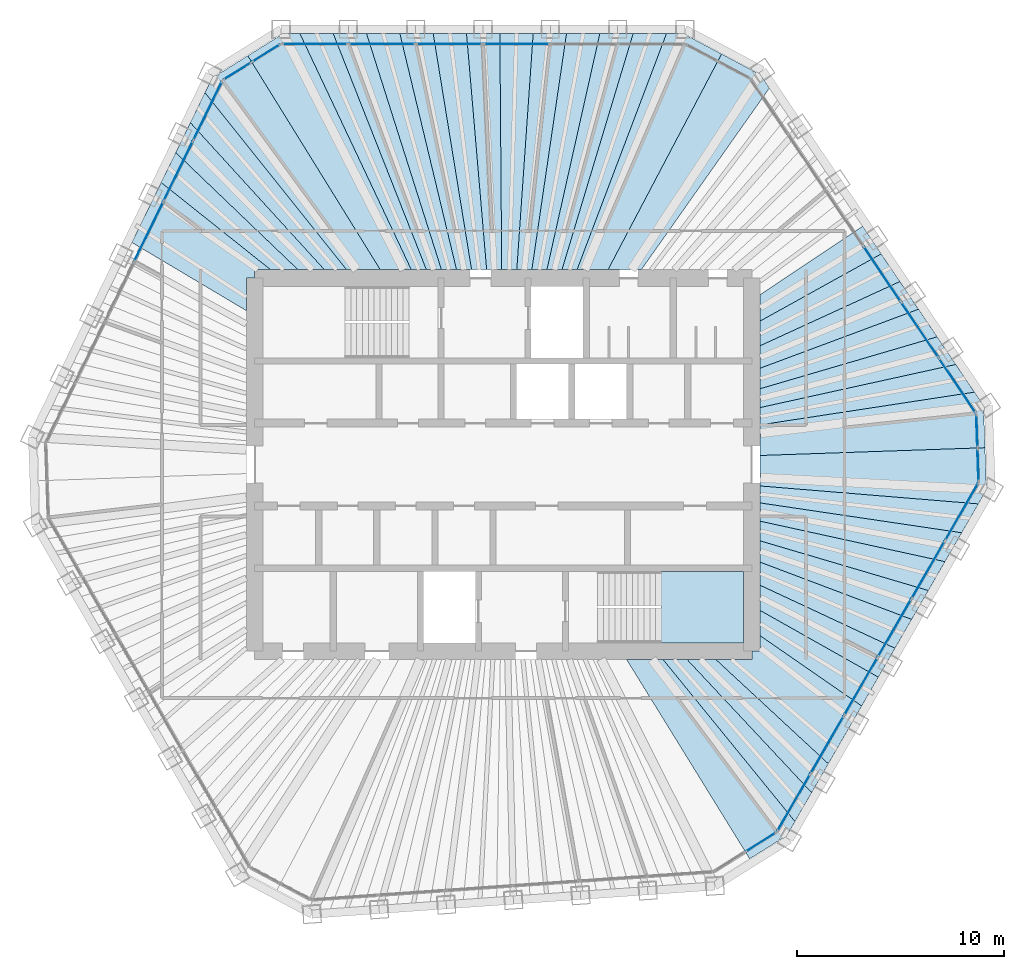
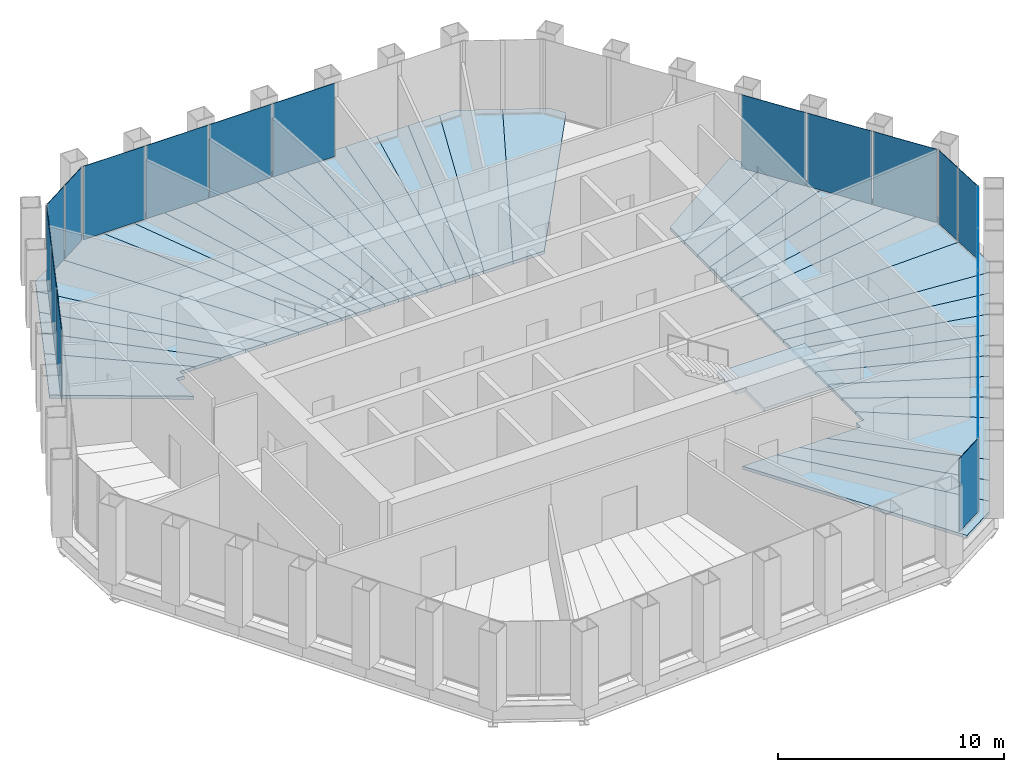
# One storey, part 10 of 14: 39 slabs, 21 plates, 8 elements without a shape of their own.
"""IFC4 building model written with IfcOpenShell, lengths in metres."""

from ifc_helpers import new_model, si_unit, direction, frame, origin, origin_2d, place, context, subcontext, project, spatial, polyline, rectangle, outline, extrude, material, layer, layer_set, type_object, element, aggregate, save


model = new_model("IFC4")

# Units and contexts
model_context = context("Model", 3, precision=1e-05, world=origin(), true_north=direction((0.0, 1.0)))
body_context = subcontext(model_context, "Body", "Model", "MODEL_VIEW")
ifc_project = project(units=[si_unit("LENGTHUNIT", "METRE"), si_unit("AREAUNIT", "SQUARE_METRE"), si_unit("VOLUMEUNIT", "CUBIC_METRE"), si_unit("PLANEANGLEUNIT", "RADIAN"), si_unit("MASSUNIT", "GRAM", prefix="KILO")], contexts=[model_context])

# Site, building, storey
site_placement = place(None, origin())
site = spatial("IfcSite", under=ifc_project, at=site_placement, CompositionType="ELEMENT")
building_placement = place(site_placement, origin())
building = spatial("IfcBuilding", under=site, at=building_placement, Name="Qingtian Harvest Tower", CompositionType="ELEMENT")
storey_placement = place(building_placement, frame((0.0, 0.0, 316.60009765625)))
storey = spatial("IfcBuildingStorey", under=building, at=storey_placement, Name="L70", CompositionType="ELEMENT", Elevation=316.60009765625)

# Slabs
ifc_material_1 = material(Name="Concrete fc' 35 MPa", Category="concrete")
ifc_layer_1 = layer(ifc_material_1, 0.169921875)
ifc_layer_set_1 = layer_set([ifc_layer_1], Name="Composite floor slab FS17 170")
slab_type_1 = type_object("IfcSlabType", Name="Composite floor slab FS17 170", PredefinedType="FLOOR", material=ifc_layer_set_1)
slab_1_placement = place(storey_placement, frame((0.0, 0.0, -0.170166015625)))
element("IfcSlab", 1, at=slab_1_placement, inside=storey, type_object=slab_type_1, Name="Floor slab L70 panel D27", PredefinedType="FLOOR", context=body_context, shape_type="SweptSolid", body=[
    extrude(outline(polyline([(5.945556640625, -9.39990234375), (7.703125, -9.39990234375), (14.077880859375, -17.2265625), (13.6865234375, -17.904296875), (11.890380859375, -19.026611328125), (5.945556640625, -9.39990234375)])), origin(), (0.0, 0.0, 1.0), 0.170166015625),
])
slab_2_placement = place(storey_placement, frame((0.0, 0.0, -0.170166015625)))
element("IfcSlab", 2, at=slab_2_placement, inside=storey, type_object=slab_type_1, Name="Floor slab L70 panel D28", PredefinedType="FLOOR", context=body_context, shape_type="SweptSolid", body=[
    extrude(outline(polyline([(8.86279296875, -9.39990234375), (14.88232421875, -15.8330078125), (14.077880859375, -17.2265625), (7.703125, -9.39990234375), (8.86279296875, -9.39990234375)])), origin(), (0.0, 0.0, 1.0), 0.170166015625),
])
slab_3_placement = place(storey_placement, frame((0.0, 0.0, -0.170166015625)))
element("IfcSlab", 3, at=slab_3_placement, inside=storey, type_object=slab_type_1, Name="Floor slab L70 panel D29", PredefinedType="FLOOR", context=body_context, shape_type="SweptSolid", body=[
    extrude(outline(polyline([(10.248046875, -9.39990234375), (15.68701171875, -14.439453125), (14.88232421875, -15.8330078125), (8.86279296875, -9.39990234375), (10.248046875, -9.39990234375)])), origin(), (0.0, 0.0, 1.0), 0.170166015625),
])
slab_4_placement = place(storey_placement, frame((0.0, 0.0, -0.170166015625)))
element("IfcSlab", 4, at=slab_4_placement, inside=storey, type_object=slab_type_1, Name="Floor slab L70 panel D31", PredefinedType="FLOOR", context=body_context, shape_type="SweptSolid", body=[
    extrude(outline(polyline([(12.39990234375, -8.263427734375), (17.296630859375, -11.651123046875), (15.68701171875, -14.439453125), (10.248046875, -9.39990234375), (12.0, -9.39990234375), (12.0, -9.0), (12.39990234375, -9.0), (12.39990234375, -8.263427734375)])), origin(), (0.0, 0.0, 1.0), 0.170166015625),
])
slab_5_placement = place(storey_placement, frame((0.0, 0.0, -0.170166015625)))
element("IfcSlab", 5, at=slab_5_placement, inside=storey, type_object=slab_type_1, Name="Floor slab L70 panel D32", PredefinedType="FLOOR", context=body_context, shape_type="SweptSolid", body=[
    extrude(outline(polyline([(12.39990234375, -7.04296875), (18.099853515625, -10.26025390625), (17.296630859375, -11.651123046875), (12.39990234375, -8.263427734375), (12.39990234375, -7.04296875)])), origin(), (0.0, 0.0, 1.0), 0.170166015625),
])
slab_6_placement = place(storey_placement, frame((0.0, 0.0, -0.170166015625)))
element("IfcSlab", 6, at=slab_6_placement, inside=storey, type_object=slab_type_1, Name="Floor slab L70 panel D33", PredefinedType="FLOOR", context=body_context, shape_type="SweptSolid", body=[
    extrude(outline(polyline([(12.39990234375, -5.828125), (18.904296875, -8.86669921875), (18.099853515625, -10.26025390625), (12.39990234375, -7.04296875), (12.39990234375, -5.828125)])), origin(), (0.0, 0.0, 1.0), 0.170166015625),
])
slab_7_placement = place(storey_placement, frame((0.0, 0.0, -0.170166015625)))
element("IfcSlab", 7, at=slab_7_placement, inside=storey, type_object=slab_type_1, Name="Floor slab L70 panel D34", PredefinedType="FLOOR", context=body_context, shape_type="SweptSolid", body=[
    extrude(outline(polyline([(12.39990234375, -4.712646484375), (19.708740234375, -7.473388671875), (18.904296875, -8.86669921875), (12.39990234375, -5.828125), (12.39990234375, -4.712646484375)])), origin(), (0.0, 0.0, 1.0), 0.170166015625),
])
slab_8_placement = place(storey_placement, frame((0.0, 0.0, -0.170166015625)))
element("IfcSlab", 8, at=slab_8_placement, inside=storey, type_object=slab_type_1, Name="Floor slab L70 panel D35", PredefinedType="FLOOR", context=body_context, shape_type="SweptSolid", body=[
    extrude(outline(polyline([(12.39990234375, -3.684814453125), (20.51318359375, -6.080078125), (19.708740234375, -7.473388671875), (12.39990234375, -4.712646484375), (12.39990234375, -3.684814453125)])), origin(), (0.0, 0.0, 1.0), 0.170166015625),
])
slab_9_placement = place(storey_placement, frame((0.0, 0.0, -0.170166015625)))
element("IfcSlab", 9, at=slab_9_placement, inside=storey, type_object=slab_type_1, Name="Floor slab L70 panel D36", PredefinedType="FLOOR", context=body_context, shape_type="SweptSolid", body=[
    extrude(outline(polyline([(12.39990234375, -2.734619140625), (21.317626953125, -4.6865234375), (20.51318359375, -6.080078125), (12.39990234375, -3.684814453125), (12.39990234375, -2.734619140625)])), origin(), (0.0, 0.0, 1.0), 0.170166015625),
])
slab_10_placement = place(storey_placement, frame((0.0, 0.0, -0.170166015625)))
element("IfcSlab", 10, at=slab_10_placement, inside=storey, type_object=slab_type_1, Name="Floor slab L70 panel D37", PredefinedType="FLOOR", context=body_context, shape_type="SweptSolid", body=[
    extrude(outline(polyline([(12.39990234375, -1.853515625), (22.122314453125, -3.293212890625), (21.317626953125, -4.6865234375), (12.39990234375, -2.734619140625), (12.39990234375, -1.853515625)])), origin(), (0.0, 0.0, 1.0), 0.170166015625),
])
slab_11_placement = place(storey_placement, frame((0.0, 0.0, -0.170166015625)))
element("IfcSlab", 11, at=slab_11_placement, inside=storey, type_object=slab_type_1, Name="Floor slab L70 panel D38", PredefinedType="FLOOR", context=body_context, shape_type="SweptSolid", body=[
    extrude(outline(polyline([(12.39990234375, -1.034423828125), (22.9267578125, -1.89990234375), (22.122314453125, -3.293212890625), (12.39990234375, -1.853515625), (12.39990234375, -1.034423828125)])), origin(), (0.0, 0.0, 1.0), 0.170166015625),
])
slab_12_placement = place(storey_placement, frame((0.0, 0.0, -0.170166015625)))
element("IfcSlab", 12, at=slab_12_placement, inside=storey, type_object=slab_type_1, Name="Floor slab L70 panel D39", PredefinedType="FLOOR", context=body_context, shape_type="SweptSolid", body=[
    extrude(outline(polyline([(12.39990234375, -1.034423828125), (12.39990234375, 0.436279296875), (23.246826171875, 0.811767578125), (23.31787109375, -1.22216796875), (22.9267578125, -1.89990234375), (12.39990234375, -1.034423828125)])), origin(), (0.0, 0.0, 1.0), 0.170166015625),
])
slab_13_placement = place(storey_placement, frame((0.0, 0.0, -0.170166015625)))
element("IfcSlab", 13, at=slab_13_placement, inside=storey, type_object=slab_type_1, Name="Floor slab L70 panel D40", PredefinedType="FLOOR", context=body_context, shape_type="SweptSolid", body=[
    extrude(outline(polyline([(12.39990234375, 0.436279296875), (12.39990234375, 1.91357421875), (22.73828125, 3.494384765625), (23.17578125, 2.845947265625), (23.246826171875, 0.811767578125), (12.39990234375, 0.436279296875)])), origin(), (0.0, 0.0, 1.0), 0.170166015625),
])
slab_14_placement = place(storey_placement, frame((0.0, 0.0, -0.170166015625)))
element("IfcSlab", 14, at=slab_14_placement, inside=storey, type_object=slab_type_1, Name="Floor slab L70 panel D41", PredefinedType="FLOOR", context=body_context, shape_type="SweptSolid", body=[
    extrude(outline(polyline([(12.39990234375, 2.75048828125), (21.838623046875, 4.828369140625), (22.73828125, 3.494384765625), (12.39990234375, 1.91357421875), (12.39990234375, 2.75048828125)])), origin(), (0.0, 0.0, 1.0), 0.170166015625),
])
slab_15_placement = place(storey_placement, frame((0.0, 0.0, -0.170166015625)))
element("IfcSlab", 15, at=slab_15_placement, inside=storey, type_object=slab_type_1, Name="Floor slab L70 panel D42", PredefinedType="FLOOR", context=body_context, shape_type="SweptSolid", body=[
    extrude(outline(polyline([(12.39990234375, 3.659423828125), (20.93896484375, 6.162353515625), (21.838623046875, 4.828369140625), (12.39990234375, 2.75048828125), (12.39990234375, 3.659423828125)])), origin(), (0.0, 0.0, 1.0), 0.170166015625),
])
slab_16_placement = place(storey_placement, frame((0.0, 0.0, -0.170166015625)))
element("IfcSlab", 16, at=slab_16_placement, inside=storey, type_object=slab_type_1, Name="Floor slab L70 panel D43", PredefinedType="FLOOR", context=body_context, shape_type="SweptSolid", body=[
    extrude(outline(polyline([(12.39990234375, 4.64990234375), (20.0390625, 7.49609375), (20.93896484375, 6.162353515625), (12.39990234375, 3.659423828125), (12.39990234375, 4.64990234375)])), origin(), (0.0, 0.0, 1.0), 0.170166015625),
])
slab_17_placement = place(storey_placement, frame((0.0, 0.0, -0.170166015625)))
element("IfcSlab", 17, at=slab_17_placement, inside=storey, type_object=slab_type_1, Name="Floor slab L70 panel D44", PredefinedType="FLOOR", context=body_context, shape_type="SweptSolid", body=[
    extrude(outline(polyline([(12.39990234375, 5.73388671875), (19.139404296875, 8.830078125), (20.0390625, 7.49609375), (12.39990234375, 4.64990234375), (12.39990234375, 5.73388671875)])), origin(), (0.0, 0.0, 1.0), 0.170166015625),
])
slab_18_placement = place(storey_placement, frame((0.0, 0.0, -0.170166015625)))
element("IfcSlab", 18, at=slab_18_placement, inside=storey, type_object=slab_type_1, Name="Floor slab L70 panel D45", PredefinedType="FLOOR", context=body_context, shape_type="SweptSolid", body=[
    extrude(outline(polyline([(12.39990234375, 6.925048828125), (18.23974609375, 10.1640625), (19.139404296875, 8.830078125), (12.39990234375, 5.73388671875), (12.39990234375, 6.925048828125)])), origin(), (0.0, 0.0, 1.0), 0.170166015625),
])
slab_19_placement = place(storey_placement, frame((0.0, 0.0, -0.170166015625)))
element("IfcSlab", 19, at=slab_19_placement, inside=storey, type_object=slab_type_1, Name="Floor slab L70 panel D46", PredefinedType="FLOOR", context=body_context, shape_type="SweptSolid", body=[
    extrude(outline(polyline([(12.39990234375, 8.199462890625), (17.340576171875, 11.4970703125), (18.23974609375, 10.1640625), (12.39990234375, 6.925048828125), (12.39990234375, 8.199462890625)])), origin(), (0.0, 0.0, 1.0), 0.170166015625),
])
slab_20_placement = place(storey_placement, frame((0.0, 0.0, -0.170166015625)))
element("IfcSlab", 20, at=slab_20_placement, inside=storey, type_object=slab_type_1, Name="Floor slab L70 panel D52", PredefinedType="FLOOR", context=body_context, shape_type="SweptSolid", body=[
    extrude(outline(polyline([(6.662109375, 9.39990234375), (5.05419921875, 9.39990234375), (10.533935546875, 19.809814453125), (12.404296875, 18.8154296875), (12.841796875, 18.16650390625), (6.662109375, 9.39990234375)])), origin(), (0.0, 0.0, 1.0), 0.170166015625),
])
slab_21_placement = place(storey_placement, frame((0.0, 0.0, -0.170166015625)))
element("IfcSlab", 21, at=slab_21_placement, inside=storey, type_object=slab_type_1, Name="Floor slab L70 panel D53", PredefinedType="FLOOR", context=body_context, shape_type="SweptSolid", body=[
    extrude(outline(polyline([(3.560302734375, 9.39990234375), (7.880126953125, 20.804931640625), (8.662109375, 20.804931640625), (10.533935546875, 19.809814453125), (5.05419921875, 9.39990234375), (3.560302734375, 9.39990234375)])), origin(), (0.0, 0.0, 1.0), 0.170166015625),
])
slab_22_placement = place(storey_placement, frame((0.0, 0.0, -0.170166015625)))
element("IfcSlab", 22, at=slab_22_placement, inside=storey, type_object=slab_type_1, Name="Floor slab L70 panel D54", PredefinedType="FLOOR", context=body_context, shape_type="SweptSolid", body=[
    extrude(outline(polyline([(2.833251953125, 9.39990234375), (6.27099609375, 20.804931640625), (7.880126953125, 20.804931640625), (3.560302734375, 9.39990234375), (2.833251953125, 9.39990234375)])), origin(), (0.0, 0.0, 1.0), 0.170166015625),
])
slab_23_placement = place(storey_placement, frame((0.0, 0.0, -0.170166015625)))
element("IfcSlab", 23, at=slab_23_placement, inside=storey, type_object=slab_type_1, Name="Floor slab L70 panel D55", PredefinedType="FLOOR", context=body_context, shape_type="SweptSolid", body=[
    extrude(outline(polyline([(2.1064453125, 9.39990234375), (4.662109375, 20.804931640625), (6.27099609375, 20.804931640625), (2.833251953125, 9.39990234375), (2.1064453125, 9.39990234375)])), origin(), (0.0, 0.0, 1.0), 0.170166015625),
])
slab_24_placement = place(storey_placement, frame((0.0, 0.0, -0.170166015625)))
element("IfcSlab", 24, at=slab_24_placement, inside=storey, type_object=slab_type_1, Name="Floor slab L70 panel D56", PredefinedType="FLOOR", context=body_context, shape_type="SweptSolid", body=[
    extrude(outline(polyline([(1.37939453125, 9.39990234375), (3.05322265625, 20.804931640625), (4.662109375, 20.804931640625), (2.1064453125, 9.39990234375), (1.37939453125, 9.39990234375)])), origin(), (0.0, 0.0, 1.0), 0.170166015625),
])
slab_25_placement = place(storey_placement, frame((0.0, 0.0, -0.170166015625)))
element("IfcSlab", 25, at=slab_25_placement, inside=storey, type_object=slab_type_1, Name="Floor slab L70 panel D57", PredefinedType="FLOOR", context=body_context, shape_type="SweptSolid", body=[
    extrude(outline(polyline([(0.652587890625, 9.39990234375), (1.4443359375, 20.804931640625), (3.05322265625, 20.804931640625), (1.37939453125, 9.39990234375), (0.652587890625, 9.39990234375)])), origin(), (0.0, 0.0, 1.0), 0.170166015625),
])
slab_26_placement = place(storey_placement, frame((0.0, 0.0, -0.170166015625)))
element("IfcSlab", 26, at=slab_26_placement, inside=storey, type_object=slab_type_1, Name="Floor slab L70 panel D58", PredefinedType="FLOOR", context=body_context, shape_type="SweptSolid", body=[
    extrude(outline(polyline([(-0.074462890625, 9.39990234375), (-0.16455078125, 20.804931640625), (1.4443359375, 20.804931640625), (0.652587890625, 9.39990234375), (-0.074462890625, 9.39990234375)])), origin(), (0.0, 0.0, 1.0), 0.170166015625),
])
slab_27_placement = place(storey_placement, frame((0.0, 0.0, -0.170166015625)))
element("IfcSlab", 27, at=slab_27_placement, inside=storey, type_object=slab_type_1, Name="Floor slab L70 panel D59", PredefinedType="FLOOR", context=body_context, shape_type="SweptSolid", body=[
    extrude(outline(polyline([(-0.80126953125, 9.39990234375), (-1.773681640625, 20.804931640625), (-0.16455078125, 20.804931640625), (-0.074462890625, 9.39990234375), (-0.80126953125, 9.39990234375)])), origin(), (0.0, 0.0, 1.0), 0.170166015625),
])
slab_28_placement = place(storey_placement, frame((0.0, 0.0, -0.170166015625)))
element("IfcSlab", 28, at=slab_28_placement, inside=storey, type_object=slab_type_1, Name="Floor slab L70 panel D60", PredefinedType="FLOOR", context=body_context, shape_type="SweptSolid", body=[
    extrude(outline(polyline([(-1.5283203125, 9.39990234375), (-3.382568359375, 20.804931640625), (-1.773681640625, 20.804931640625), (-0.80126953125, 9.39990234375), (-1.5283203125, 9.39990234375)])), origin(), (0.0, 0.0, 1.0), 0.170166015625),
])
slab_29_placement = place(storey_placement, frame((0.0, 0.0, -0.170166015625)))
element("IfcSlab", 29, at=slab_29_placement, inside=storey, type_object=slab_type_1, Name="Floor slab L70 panel D61", PredefinedType="FLOOR", context=body_context, shape_type="SweptSolid", body=[
    extrude(outline(polyline([(-2.255126953125, 9.39990234375), (-4.991455078125, 20.804931640625), (-3.382568359375, 20.804931640625), (-1.5283203125, 9.39990234375), (-2.255126953125, 9.39990234375)])), origin(), (0.0, 0.0, 1.0), 0.170166015625),
])
slab_30_placement = place(storey_placement, frame((0.0, 0.0, -0.170166015625)))
element("IfcSlab", 30, at=slab_30_placement, inside=storey, type_object=slab_type_1, Name="Floor slab L70 panel D62", PredefinedType="FLOOR", context=body_context, shape_type="SweptSolid", body=[
    extrude(outline(polyline([(-2.982177734375, 9.39990234375), (-6.600341796875, 20.804931640625), (-4.991455078125, 20.804931640625), (-2.255126953125, 9.39990234375), (-2.982177734375, 9.39990234375)])), origin(), (0.0, 0.0, 1.0), 0.170166015625),
])
slab_31_placement = place(storey_placement, frame((0.0, 0.0, -0.170166015625)))
element("IfcSlab", 31, at=slab_31_placement, inside=storey, type_object=slab_type_1, Name="Floor slab L70 panel D63", PredefinedType="FLOOR", context=body_context, shape_type="SweptSolid", body=[
    extrude(outline(polyline([(-3.708984375, 9.39990234375), (-8.209228515625, 20.804931640625), (-6.600341796875, 20.804931640625), (-2.982177734375, 9.39990234375), (-3.708984375, 9.39990234375)])), origin(), (0.0, 0.0, 1.0), 0.170166015625),
])
slab_32_placement = place(storey_placement, frame((0.0, 0.0, -0.170166015625)))
element("IfcSlab", 32, at=slab_32_placement, inside=storey, type_object=slab_type_1, Name="Floor slab L70 panel D64", PredefinedType="FLOOR", context=body_context, shape_type="SweptSolid", body=[
    extrude(outline(polyline([(-4.43603515625, 9.39990234375), (-9.818115234375, 20.804931640625), (-8.209228515625, 20.804931640625), (-3.708984375, 9.39990234375), (-4.43603515625, 9.39990234375)])), origin(), (0.0, 0.0, 1.0), 0.170166015625),
])
slab_33_placement = place(storey_placement, frame((0.0, 0.0, -0.170166015625)))
element("IfcSlab", 33, at=slab_33_placement, inside=storey, type_object=slab_type_1, Name="Floor slab L70 panel D65", PredefinedType="FLOOR", context=body_context, shape_type="SweptSolid", body=[
    extrude(outline(polyline([(-4.43603515625, 9.39990234375), (-5.935302734375, 9.39990234375), (-12.327392578125, 19.725830078125), (-10.600341796875, 20.804931640625), (-9.818115234375, 20.804931640625), (-4.43603515625, 9.39990234375)])), origin(), (0.0, 0.0, 1.0), 0.170166015625),
])
slab_34_placement = place(storey_placement, frame((0.0, 0.0, -0.170166015625)))
element("IfcSlab", 34, at=slab_34_placement, inside=storey, type_object=slab_type_1, Name="Floor slab L70 panel D66", PredefinedType="FLOOR", context=body_context, shape_type="SweptSolid", body=[
    extrude(outline(polyline([(-5.935302734375, 9.39990234375), (-7.560302734375, 9.39990234375), (-14.3955078125, 17.944580078125), (-14.052490234375, 18.64794921875), (-12.327392578125, 19.725830078125), (-5.935302734375, 9.39990234375)])), origin(), (0.0, 0.0, 1.0), 0.170166015625),
])
slab_35_placement = place(storey_placement, frame((0.0, 0.0, -0.170166015625)))
element("IfcSlab", 35, at=slab_35_placement, inside=storey, type_object=slab_type_1, Name="Floor slab L70 panel D67", PredefinedType="FLOOR", context=body_context, shape_type="SweptSolid", body=[
    extrude(outline(polyline([(-8.62890625, 9.39990234375), (-15.100830078125, 16.498291015625), (-14.3955078125, 17.944580078125), (-7.560302734375, 9.39990234375), (-8.62890625, 9.39990234375)])), origin(), (0.0, 0.0, 1.0), 0.170166015625),
])
slab_36_placement = place(storey_placement, frame((0.0, 0.0, -0.170166015625)))
element("IfcSlab", 36, at=slab_36_placement, inside=storey, type_object=slab_type_1, Name="Floor slab L70 panel D68", PredefinedType="FLOOR", context=body_context, shape_type="SweptSolid", body=[
    extrude(outline(polyline([(-9.90380859375, 9.39990234375), (-15.80615234375, 15.05224609375), (-15.100830078125, 16.498291015625), (-8.62890625, 9.39990234375), (-9.90380859375, 9.39990234375)])), origin(), (0.0, 0.0, 1.0), 0.170166015625),
])
slab_37_placement = place(storey_placement, frame((0.0, 0.0, -0.170166015625)))
element("IfcSlab", 37, at=slab_37_placement, inside=storey, type_object=slab_type_1, Name="Floor slab L70 panel D69", PredefinedType="FLOOR", context=body_context, shape_type="SweptSolid", body=[
    extrude(outline(polyline([(-11.224853515625, 9.39990234375), (-16.509765625, 13.609619140625), (-15.80615234375, 15.05224609375), (-9.90380859375, 9.39990234375), (-11.224853515625, 9.39990234375)])), origin(), (0.0, 0.0, 1.0), 0.170166015625),
])
slab_38_placement = place(storey_placement, frame((0.0, 0.0, -0.170166015625)))
element("IfcSlab", 38, at=slab_38_placement, inside=storey, type_object=slab_type_1, Name="Floor slab L70 panel D70", PredefinedType="FLOOR", context=body_context, shape_type="SweptSolid", body=[
    extrude(outline(polyline([(-12.0, 9.0), (-12.39990234375, 9.0), (-12.39990234375, 7.42578125), (-17.921875, 10.714599609375), (-16.509765625, 13.609619140625), (-11.224853515625, 9.39990234375), (-12.0, 9.39990234375), (-12.0, 9.0)])), origin(), (0.0, 0.0, 1.0), 0.170166015625),
])

# Curtain wall, plates
ifc_material_2 = material(Name="Bronze-anodised aluminium curtain wall", Category="aluminium")
curtain_wall_type = type_object("IfcCurtainWallType", Name="Curtain wall CW5 upper office", PredefinedType="USERDEFINED", material=ifc_material_2)
curtain_wall_1_placement = place(storey_placement, origin())
curtain_wall_1 = element("IfcCurtainWall", 39, at=curtain_wall_1_placement, inside=storey, type_object=curtain_wall_type, Name="Curtain wall CW5 L70 N0-5", ObjectType="RECESSED CURTAIN WALL", PredefinedType="USERDEFINED")
ifc_material_3 = material(Name="Bronze-tinted laminated insulating glass", Category="glass")
ifc_layer_2 = layer(ifc_material_3, 0.030029296875)
ifc_layer_set_2 = layer_set([ifc_layer_2], Name="Glazed panel CWP tinted IGU")
plate_type = type_object("IfcPlateType", Name="Glazed panel CWP tinted IGU", PredefinedType="CURTAIN_PANEL", material=ifc_layer_set_2)
plate_1_placement = place(storey_placement, frame((-9.08203125, 20.300048828125, 0.06494140625), z_axis=(0.0, 0.0, 1.0), x_axis=(1.0, 0.0, 0.0)))
plate_1 = element("IfcPlate", 40, at=plate_1_placement, type_object=plate_type, Name="CW5 panel 1.1", PredefinedType="CURTAIN_PANEL", context=body_context, shape_type="SweptSolid", body=[
    extrude(rectangle(XDim=3.150634765625, YDim=0.030029296875, at=origin_2d()), origin(), (0.0, 0.0, 1.0), 3.965087890625),
])
plate_2_placement = place(storey_placement, frame((-5.85009765625, 20.300048828125, 0.06494140625), z_axis=(0.0, 0.0, 1.0), x_axis=(1.0, 0.0, 0.0)))
plate_2 = element("IfcPlate", 41, at=plate_2_placement, type_object=plate_type, Name="CW5 panel 2.1", PredefinedType="CURTAIN_PANEL", context=body_context, shape_type="SweptSolid", body=[
    extrude(rectangle(XDim=3.18310546875, YDim=0.030029296875, at=origin_2d()), origin(), (0.0, 0.0, 1.0), 3.965087890625),
])
plate_3_placement = place(storey_placement, frame((-2.602294921875, 20.300048828125, 0.06494140625), z_axis=(0.0, 0.0, 1.0), x_axis=(1.0, 0.0, 0.0)))
plate_3 = element("IfcPlate", 42, at=plate_3_placement, type_object=plate_type, Name="CW5 panel 3.1", PredefinedType="CURTAIN_PANEL", context=body_context, shape_type="SweptSolid", body=[
    extrude(rectangle(XDim=3.18310546875, YDim=0.030029296875, at=origin_2d()), origin(), (0.0, 0.0, 1.0), 3.965087890625),
])
plate_4_placement = place(storey_placement, frame((0.645751953125, 20.300048828125, 0.06494140625), z_axis=(0.0, 0.0, 1.0), x_axis=(1.0, 0.0, 0.0)))
plate_4 = element("IfcPlate", 43, at=plate_4_placement, type_object=plate_type, Name="CW5 panel 4.1", PredefinedType="CURTAIN_PANEL", context=body_context, shape_type="SweptSolid", body=[
    extrude(rectangle(XDim=3.18310546875, YDim=0.030029296875, at=origin_2d()), origin(), (0.0, 0.0, 1.0), 3.965087890625),
])
aggregate(curtain_wall_1, [plate_1, plate_2, plate_3, plate_4])

curtain_wall_2_placement = place(storey_placement, origin())
curtain_wall_2 = element("IfcCurtainWall", 44, at=curtain_wall_2_placement, inside=storey, type_object=curtain_wall_type, Name="Curtain wall CW5 L70 NE0-5", ObjectType="RECESSED CURTAIN WALL", PredefinedType="USERDEFINED")
plate_5_placement = place(storey_placement, frame((18.28466796875, 9.1943359375, 0.06494140625), z_axis=(0.0, 0.0, 1.0), x_axis=(0.559192903471, -0.829037572555, 0.0)))
plate_5 = element("IfcPlate", 45, at=plate_5_placement, type_object=plate_type, Name="CW5 panel 4.1", PredefinedType="CURTAIN_PANEL", context=body_context, shape_type="SweptSolid", body=[
    extrude(rectangle(XDim=3.18310546875, YDim=0.030029296875, at=origin_2d()), origin(), (0.0, 0.0, 1.0), 3.965087890625),
])
plate_6_placement = place(storey_placement, frame((20.100830078125, 6.50146484375, 0.06494140625), z_axis=(0.0, 0.0, 1.0), x_axis=(0.559192903471, -0.829037572555, 0.0)))
plate_6 = element("IfcPlate", 46, at=plate_6_placement, type_object=plate_type, Name="CW5 panel 5.1", PredefinedType="CURTAIN_PANEL", context=body_context, shape_type="SweptSolid", body=[
    extrude(rectangle(XDim=3.18310546875, YDim=0.030029296875, at=origin_2d()), origin(), (0.0, 0.0, 1.0), 3.965087890625),
])
plate_7_placement = place(storey_placement, frame((21.907958984375, 3.822265625, 0.06494140625), z_axis=(0.0, 0.0, 1.0), x_axis=(0.559192903471, -0.829037572555, 0.0)))
plate_7 = element("IfcPlate", 47, at=plate_7_placement, type_object=plate_type, Name="CW5 panel 6.1", PredefinedType="CURTAIN_PANEL", context=body_context, shape_type="SweptSolid", body=[
    extrude(rectangle(XDim=3.150634765625, YDim=0.030029296875, at=origin_2d()), origin(), (0.0, 0.0, 1.0), 3.965087890625),
])
aggregate(curtain_wall_2, [plate_5, plate_6, plate_7])

curtain_wall_3_placement = place(storey_placement, origin())
curtain_wall_3 = element("IfcCurtainWall", 48, at=curtain_wall_3_placement, inside=storey, type_object=curtain_wall_type, Name="Curtain wall CW5 L70 NEC", ObjectType="RECESSED CURTAIN WALL", PredefinedType="USERDEFINED")
plate_8_placement = place(storey_placement, frame((22.85498046875, 1.614501953125, 0.06494140625), z_axis=(0.0, 0.0, 1.0), x_axis=(0.034899496703, -0.999390827019, 0.0)))
plate_8 = element("IfcPlate", 49, at=plate_8_placement, type_object=plate_type, Name="CW5 panel 1.1", PredefinedType="CURTAIN_PANEL", context=body_context, shape_type="SweptSolid", body=[
    extrude(rectangle(XDim=1.56689453125, YDim=0.030029296875, at=origin_2d()), origin(), (0.0, 0.0, 1.0), 3.965087890625),
])
plate_9_placement = place(storey_placement, frame((22.911865234375, -0.016357421875, 0.06494140625), z_axis=(0.0, 0.0, 1.0), x_axis=(0.034899496703, -0.999390827019, 0.0)))
plate_9 = element("IfcPlate", 50, at=plate_9_placement, type_object=plate_type, Name="CW5 panel 2.1", PredefinedType="CURTAIN_PANEL", context=body_context, shape_type="SweptSolid", body=[
    extrude(rectangle(XDim=1.56689453125, YDim=0.030029296875, at=origin_2d()), origin(), (0.0, 0.0, 1.0), 3.965087890625),
])
aggregate(curtain_wall_3, [plate_8, plate_9])

curtain_wall_4_placement = place(storey_placement, origin())
curtain_wall_4 = element("IfcCurtainWall", 51, at=curtain_wall_4_placement, inside=storey, type_object=curtain_wall_type, Name="Curtain wall CW5 L70 SE0-5", ObjectType="RECESSED CURTAIN WALL", PredefinedType="USERDEFINED")
plate_10_placement = place(storey_placement, frame((22.121337890625, -2.28466796875, 0.06494140625), z_axis=(0.0, 0.0, 1.0), x_axis=(-0.5, -0.866025403784, 0.0)))
plate_10 = element("IfcPlate", 52, at=plate_10_placement, type_object=plate_type, Name="CW5 panel 1.1", PredefinedType="CURTAIN_PANEL", context=body_context, shape_type="SweptSolid", body=[
    extrude(rectangle(XDim=3.150634765625, YDim=0.030029296875, at=origin_2d()), origin(), (0.0, 0.0, 1.0), 3.965087890625),
])
plate_11_placement = place(storey_placement, frame((20.50537109375, -5.08349609375, 0.06494140625), z_axis=(0.0, 0.0, 1.0), x_axis=(-0.5, -0.866025403784, 0.0)))
plate_11 = element("IfcPlate", 53, at=plate_11_placement, type_object=plate_type, Name="CW5 panel 2.1", PredefinedType="CURTAIN_PANEL", context=body_context, shape_type="SweptSolid", body=[
    extrude(rectangle(XDim=3.18310546875, YDim=0.030029296875, at=origin_2d()), origin(), (0.0, 0.0, 1.0), 3.965087890625),
])
plate_12_placement = place(storey_placement, frame((18.88134765625, -7.896484375, 0.06494140625), z_axis=(0.0, 0.0, 1.0), x_axis=(-0.5, -0.866025403784, 0.0)))
plate_12 = element("IfcPlate", 54, at=plate_12_placement, type_object=plate_type, Name="CW5 panel 3.1", PredefinedType="CURTAIN_PANEL", context=body_context, shape_type="SweptSolid", body=[
    extrude(rectangle(XDim=3.18310546875, YDim=0.030029296875, at=origin_2d()), origin(), (0.0, 0.0, 1.0), 3.965087890625),
])
plate_13_placement = place(storey_placement, frame((17.25732421875, -10.709228515625, 0.06494140625), z_axis=(0.0, 0.0, 1.0), x_axis=(-0.5, -0.866025403784, 0.0)))
plate_13 = element("IfcPlate", 55, at=plate_13_placement, type_object=plate_type, Name="CW5 panel 4.1", PredefinedType="CURTAIN_PANEL", context=body_context, shape_type="SweptSolid", body=[
    extrude(rectangle(XDim=3.18310546875, YDim=0.030029296875, at=origin_2d()), origin(), (0.0, 0.0, 1.0), 3.965087890625),
])
plate_14_placement = place(storey_placement, frame((15.63330078125, -13.522216796875, 0.06494140625), z_axis=(0.0, 0.0, 1.0), x_axis=(-0.5, -0.866025403784, 0.0)))
plate_14 = element("IfcPlate", 56, at=plate_14_placement, type_object=plate_type, Name="CW5 panel 5.1", PredefinedType="CURTAIN_PANEL", context=body_context, shape_type="SweptSolid", body=[
    extrude(rectangle(XDim=3.18310546875, YDim=0.030029296875, at=origin_2d()), origin(), (0.0, 0.0, 1.0), 3.965087890625),
])
plate_15_placement = place(storey_placement, frame((14.017578125, -16.321044921875, 0.06494140625), z_axis=(0.0, 0.0, 1.0), x_axis=(-0.5, -0.866025403784, 0.0)))
plate_15 = element("IfcPlate", 57, at=plate_15_placement, type_object=plate_type, Name="CW5 panel 6.1", PredefinedType="CURTAIN_PANEL", context=body_context, shape_type="SweptSolid", body=[
    extrude(rectangle(XDim=3.150634765625, YDim=0.030029296875, at=origin_2d()), origin(), (0.0, 0.0, 1.0), 3.965087890625),
])
aggregate(curtain_wall_4, [plate_10, plate_11, plate_12, plate_13, plate_14, plate_15])

# Curtain wall, plate
curtain_wall_5_placement = place(storey_placement, origin())
curtain_wall_5 = element("IfcCurtainWall", 58, at=curtain_wall_5_placement, inside=storey, type_object=curtain_wall_type, Name="Curtain wall CW5 L70 SEC", ObjectType="RECESSED CURTAIN WALL", PredefinedType="USERDEFINED")
plate_16_placement = place(storey_placement, frame((12.42431640625, -18.224609375, 0.06494140625), z_axis=(0.0, 0.0, 1.0), x_axis=(-0.848048096156, -0.529919264233, 0.0)))
plate_16 = element("IfcPlate", 59, at=plate_16_placement, type_object=plate_type, Name="CW5 panel 1.1", PredefinedType="CURTAIN_PANEL", context=body_context, shape_type="SweptSolid", body=[
    extrude(rectangle(XDim=1.69287109375, YDim=0.030029296875, at=origin_2d()), origin(), (0.0, 0.0, 1.0), 3.965087890625),
])
aggregate(curtain_wall_5, [plate_16])

# Curtain wall, plates
curtain_wall_6_placement = place(storey_placement, origin())
curtain_wall_6 = element("IfcCurtainWall", 60, at=curtain_wall_6_placement, inside=storey, type_object=curtain_wall_type, Name="Curtain wall CW5 L70 NW0-5", ObjectType="RECESSED CURTAIN WALL", PredefinedType="USERDEFINED")
plate_17_placement = place(storey_placement, frame((-17.104736328125, 11.23779296875, 0.06494140625), z_axis=(0.0, 0.0, 1.0), x_axis=(0.438371146789, 0.898794046299, 0.0)))
plate_17 = element("IfcPlate", 61, at=plate_17_placement, type_object=plate_type, Name="CW5 panel 4.1", PredefinedType="CURTAIN_PANEL", context=body_context, shape_type="SweptSolid", body=[
    extrude(rectangle(XDim=3.18310546875, YDim=0.030029296875, at=origin_2d()), origin(), (0.0, 0.0, 1.0), 3.965087890625),
])
plate_18_placement = place(storey_placement, frame((-15.680908203125, 14.156982421875, 0.06494140625), z_axis=(0.0, 0.0, 1.0), x_axis=(0.438371146789, 0.898794046299, 0.0)))
plate_18 = element("IfcPlate", 62, at=plate_18_placement, type_object=plate_type, Name="CW5 panel 5.1", PredefinedType="CURTAIN_PANEL", context=body_context, shape_type="SweptSolid", body=[
    extrude(rectangle(XDim=3.18310546875, YDim=0.030029296875, at=origin_2d()), origin(), (0.0, 0.0, 1.0), 3.965087890625),
])
plate_19_placement = place(storey_placement, frame((-14.26416015625, 17.061767578125, 0.06494140625), z_axis=(0.0, 0.0, 1.0), x_axis=(0.438371146789, 0.898794046299, 0.0)))
plate_19 = element("IfcPlate", 63, at=plate_19_placement, type_object=plate_type, Name="CW5 panel 6.1", PredefinedType="CURTAIN_PANEL", context=body_context, shape_type="SweptSolid", body=[
    extrude(rectangle(XDim=3.150634765625, YDim=0.030029296875, at=origin_2d()), origin(), (0.0, 0.0, 1.0), 3.965087890625),
])
aggregate(curtain_wall_6, [plate_17, plate_18, plate_19])

curtain_wall_7_placement = place(storey_placement, origin())
curtain_wall_7 = element("IfcCurtainWall", 64, at=curtain_wall_7_placement, inside=storey, type_object=curtain_wall_type, Name="Curtain wall CW5 L70 NWC", ObjectType="RECESSED CURTAIN WALL", PredefinedType="USERDEFINED")
plate_20_placement = place(storey_placement, frame((-12.82568359375, 18.985595703125, 0.06494140625), z_axis=(0.0, 0.0, 1.0), x_axis=(0.848048096156, 0.529919264233, 0.0)))
plate_20 = element("IfcPlate", 65, at=plate_20_placement, type_object=plate_type, Name="CW5 panel 1.1", PredefinedType="CURTAIN_PANEL", context=body_context, shape_type="SweptSolid", body=[
    extrude(rectangle(XDim=1.56689453125, YDim=0.030029296875, at=origin_2d()), origin(), (0.0, 0.0, 1.0), 3.965087890625),
])
plate_21_placement = place(storey_placement, frame((-11.441650390625, 19.850341796875, 0.06494140625), z_axis=(0.0, 0.0, 1.0), x_axis=(0.848048096156, 0.529919264233, 0.0)))
plate_21 = element("IfcPlate", 66, at=plate_21_placement, type_object=plate_type, Name="CW5 panel 2.1", PredefinedType="CURTAIN_PANEL", context=body_context, shape_type="SweptSolid", body=[
    extrude(rectangle(XDim=1.56689453125, YDim=0.030029296875, at=origin_2d()), origin(), (0.0, 0.0, 1.0), 3.965087890625),
])
aggregate(curtain_wall_7, [plate_20, plate_21])

# Stair, slab
ifc_material_4 = material(Name="Concrete fc' 35 MPa", Category="concrete")
stair_type = type_object("IfcStairType", Name="Special stair ST7 4200", PredefinedType="HALF_TURN_STAIR", material=ifc_material_4)
stair_placement = place(storey_placement, origin())
stair = element("IfcStair", 67, at=stair_placement, inside=storey, type_object=stair_type, Name="Special stair S2 L70", PredefinedType="HALF_TURN_STAIR")
ifc_material_5 = material(Name="Concrete fc' 35 MPa", Category="concrete")
ifc_layer_3 = layer(ifc_material_5, 0.199951171875)
ifc_layer_set_3 = layer_set([ifc_layer_3], Name="Stair landing SL2 200")
slab_type_2 = type_object("IfcSlabType", Name="Stair landing SL2 200", PredefinedType="LANDING", material=ifc_layer_set_3)
slab_39_placement = place(storey_placement, frame((0.0, 0.0, 1.89990234375)))
slab_39 = element("IfcSlab", 68, at=slab_39_placement, type_object=slab_type_2, Name="S2 landing 2", PredefinedType="LANDING", context=body_context, shape_type="SweptSolid", body=[
    extrude(outline(polyline([(7.530029296875, -8.60009765625), (7.530029296875, -6.925048828125), (7.6298828125, -6.925048828125), (7.6298828125, -6.824951171875), (7.094970703125, -6.824951171875), (7.094970703125, -5.14990234375), (11.60009765625, -5.14990234375), (11.60009765625, -8.60009765625), (7.530029296875, -8.60009765625)])), origin(), (0.0, 0.0, 1.0), 0.199951171875),
])
aggregate(stair, [slab_39])

save(model, "model.ifc")
